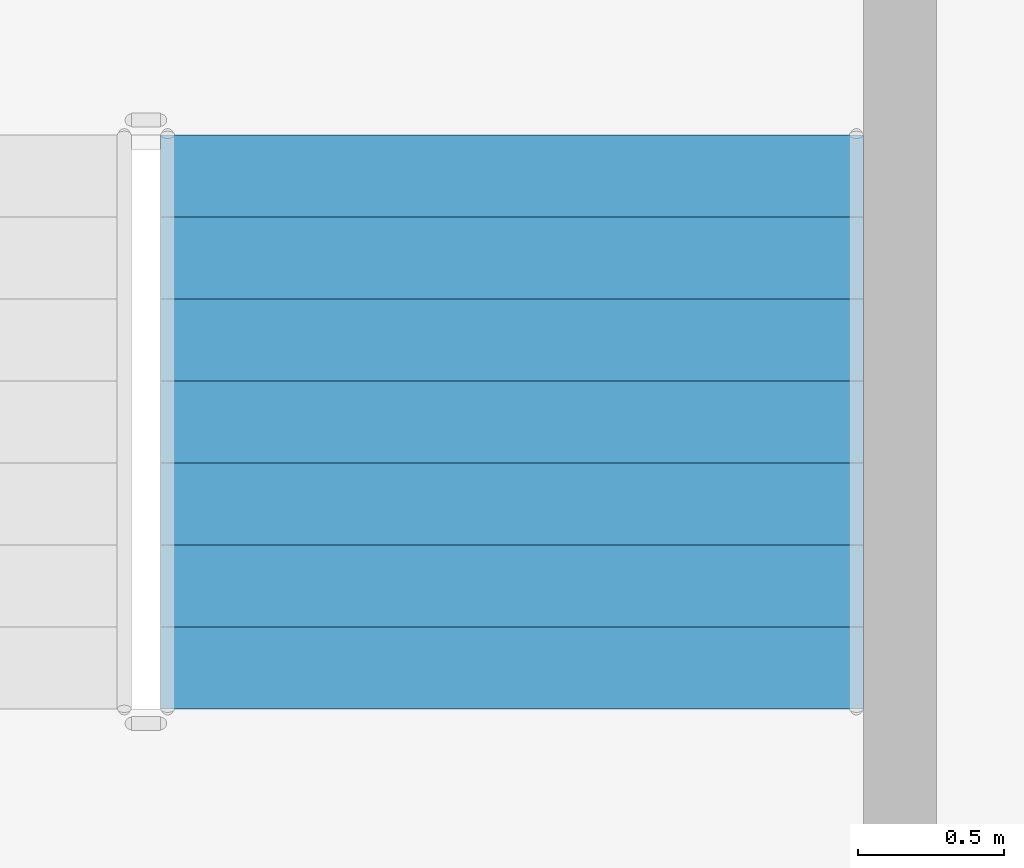
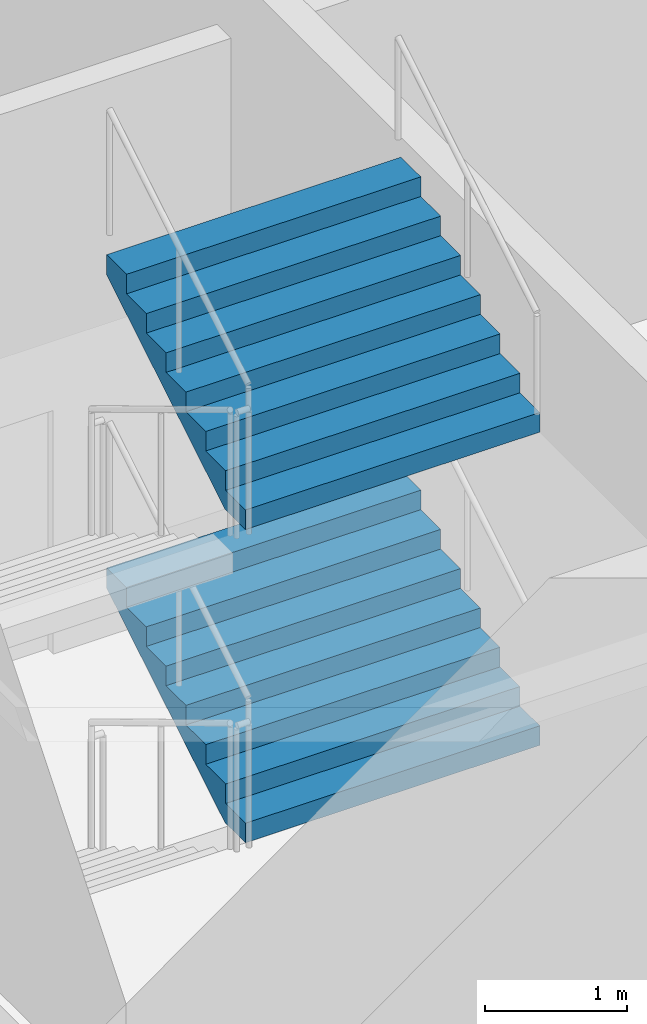
# One storey, part 38 of 101: 2 stair flights, 1 element without a shape of its own.
"""IFC4 building model written with IfcOpenShell, lengths in metres."""

from ifc_helpers import new_model, si_unit, direction, frame, origin, place, context, subcontext, project, spatial, triangles, material, type_object, element, aggregate, save


model = new_model("IFC4")

# Units and contexts
model_context = context("Model", 3, precision=1e-05, world=origin(), true_north=direction((0.0, 1.0)))
body_context = subcontext(model_context, "Body", "Model", "MODEL_VIEW")
ifc_project = project(units=[si_unit("LENGTHUNIT", "METRE"), si_unit("AREAUNIT", "SQUARE_METRE"), si_unit("VOLUMEUNIT", "CUBIC_METRE"), si_unit("PLANEANGLEUNIT", "RADIAN"), si_unit("MASSUNIT", "GRAM", prefix="KILO")], contexts=[model_context])

# Site, building, storey
site_placement = place(None, origin())
site = spatial("IfcSite", under=ifc_project, at=site_placement, CompositionType="ELEMENT")
building_placement = place(site_placement, origin())
building = spatial("IfcBuilding", under=site, at=building_placement, Name="Magnolia Steps Interchange", CompositionType="ELEMENT")
storey_placement = place(building_placement, frame((0.0, 0.0, -5.39990234375)))
storey = spatial("IfcBuildingStorey", under=building, at=storey_placement, Name="B1", CompositionType="ELEMENT", Elevation=-5.39990234375)

# Stair, stair flights
ifc_material_1 = material(Name="Concrete C40", Category="concrete")
stair_type = type_object("IfcStairType", Name="Exit stair 2400", PredefinedType="HALF_TURN_STAIR", material=ifc_material_1)
stair_placement = place(storey_placement, origin())
stair = element("IfcStair", 1, at=stair_placement, inside=storey, type_object=stair_type, Name="B1 Stair 15", PredefinedType="HALF_TURN_STAIR")
ifc_material_2 = material(Name="Concrete C40", Category="concrete")
stair_flight_type = type_object("IfcStairFlightType", Name="Exit stair flight", PredefinedType="STRAIGHT", material=ifc_material_2)
stair_flight_1_placement = place(storey_placement, frame((24.875, 56.1650390625, 1.349853515625), z_axis=(0.0, 0.0, 1.0), x_axis=(0.0, 1.0, 0.0)))
stair_flight_1 = element("IfcStairFlight", 2, at=stair_flight_1_placement, type_object=stair_flight_type, Name="Stair 15 flight 2", NumberOfRisers=8, NumberOfTreads=7, PredefinedType="STRAIGHT", RiserHeight=0.16875, TreadLength=0.28, context=body_context, shape_type="Tessellation", body=[
    triangles([(0.0, -1.199951171875, 0.0), (0.29052734375, -1.199951171875, 0.0), (1.9599609375, -1.199951171875, 1.00634765625), (1.9599609375, -1.199951171875, 1.18115234375), (1.679931640625, -1.199951171875, 1.18115234375), (1.679931640625, -1.199951171875, 1.012451171875), (1.39990234375, -1.199951171875, 1.012451171875), (1.39990234375, -1.199951171875, 0.84375), (1.1201171875, -1.199951171875, 0.84375), (1.1201171875, -1.199951171875, 0.675048828125), (0.840087890625, -1.199951171875, 0.675048828125), (0.840087890625, -1.199951171875, 0.50634765625), (0.56005859375, -1.199951171875, 0.50634765625), (0.56005859375, -1.199951171875, 0.33740234375), (0.280029296875, -1.199951171875, 0.33740234375), (0.280029296875, -1.199951171875, 0.168701171875), (0.0, -1.199951171875, 0.168701171875), (0.0, 1.199951171875, 0.0), (0.29052734375, 1.199951171875, 0.0), (1.9599609375, 1.199951171875, 1.00634765625), (1.9599609375, 1.199951171875, 1.18115234375), (1.679931640625, 1.199951171875, 1.18115234375), (1.679931640625, 1.199951171875, 1.012451171875), (1.39990234375, 1.199951171875, 1.012451171875), (1.39990234375, 1.199951171875, 0.84375), (1.1201171875, 1.199951171875, 0.84375), (1.1201171875, 1.199951171875, 0.675048828125), (0.840087890625, 1.199951171875, 0.675048828125), (0.840087890625, 1.199951171875, 0.50634765625), (0.56005859375, 1.199951171875, 0.50634765625), (0.56005859375, 1.199951171875, 0.33740234375), (0.280029296875, 1.199951171875, 0.33740234375), (0.280029296875, 1.199951171875, 0.168701171875), (0.0, 1.199951171875, 0.168701171875), (0.0, 0.0, 0.0), (0.0, 0.0, 0.04217529296875), (0.0, 0.0, 0.0843505859375), (0.0, 0.0, 0.12652587890625), (0.0, 0.0, 0.168701171875), (0.0, -0.05, 0.0), (0.0, -0.05, 0.168701171875), (0.0, 0.05, 0.0), (0.0, 0.05, 0.168701171875), (0.046671549479166664, 0.0, 0.168701171875), (0.09334309895833333, 0.0, 0.168701171875), (0.1400146484375, 0.0, 0.168701171875), (0.18668619791666666, 0.0, 0.168701171875), (0.23335774739583334, 0.0, 0.168701171875), (0.280029296875, 0.0, 0.168701171875), (0.280029296875, -0.05, 0.168701171875), (0.280029296875, 0.05, 0.168701171875), (0.280029296875, 0.0, 0.21087646484375), (0.280029296875, 0.0, 0.2530517578125), (0.280029296875, 0.0, 0.29522705078125), (0.280029296875, 0.0, 0.33740234375), (0.280029296875, -0.05, 0.33740234375), (0.280029296875, 0.05, 0.33740234375), (0.3267008463541667, 0.0, 0.33740234375), (0.3733723958333333, 0.0, 0.33740234375), (0.4200439453125, 0.0, 0.33740234375), (0.46671549479166663, 0.0, 0.33740234375), (0.5133870442708334, 0.0, 0.33740234375), (0.56005859375, 0.0, 0.33740234375), (0.56005859375, -0.05, 0.33740234375), (0.56005859375, 0.05, 0.33740234375), (0.56005859375, 0.0, 0.379638671875), (0.56005859375, 0.0, 0.421875), (0.56005859375, 0.0, 0.464111328125), (0.56005859375, 0.0, 0.50634765625), (0.56005859375, -0.05, 0.50634765625), (0.56005859375, 0.05, 0.50634765625), (0.6067301432291666, 0.0, 0.50634765625), (0.6534016927083334, 0.0, 0.50634765625), (0.7000732421875, 0.0, 0.50634765625), (0.7467447916666666, 0.0, 0.50634765625), (0.7934163411458334, 0.0, 0.50634765625), (0.840087890625, 0.0, 0.50634765625), (0.840087890625, -0.05, 0.50634765625), (0.840087890625, 0.05, 0.50634765625), (0.840087890625, 0.0, 0.54852294921875), (0.840087890625, 0.0, 0.5906982421875), (0.840087890625, 0.0, 0.63287353515625), (0.840087890625, 0.0, 0.675048828125), (0.840087890625, -0.05, 0.675048828125), (0.840087890625, 0.05, 0.675048828125), (0.8867594401041666, 0.0, 0.675048828125), (0.9334309895833334, 0.0, 0.675048828125), (0.9801025390625, 0.0, 0.675048828125), (1.0267740885416667, 0.0, 0.675048828125), (1.0734456380208333, 0.0, 0.675048828125), (1.1201171875, 0.0, 0.675048828125), (1.1201171875, -0.05, 0.675048828125), (1.1201171875, 0.05, 0.675048828125), (1.1201171875, 0.0, 0.71722412109375), (1.1201171875, 0.0, 0.7593994140625), (1.1201171875, 0.0, 0.80157470703125), (1.1201171875, 0.0, 0.84375), (1.1201171875, -0.05, 0.84375), (1.1201171875, 0.05, 0.84375), (1.1900634765625, 0.0, 0.84375), (1.260009765625, 0.0, 0.84375), (1.3299560546875, 0.0, 0.84375), (1.39990234375, 0.0, 0.84375), (1.39990234375, -0.05, 0.84375), (1.39990234375, 0.05, 0.84375), (1.39990234375, 0.0, 0.88592529296875), (1.39990234375, 0.0, 0.9281005859375), (1.39990234375, 0.0, 0.97027587890625), (1.39990234375, 0.0, 1.012451171875), (1.39990234375, -0.05, 1.012451171875), (1.39990234375, 0.05, 1.012451171875), (1.4465738932291667, 0.0, 1.012451171875), (1.4932454427083333, 0.0, 1.012451171875), (1.5399169921875, 0.0, 1.012451171875), (1.5865885416666667, 0.0, 1.012451171875), (1.6332600911458333, 0.0, 1.012451171875), (1.679931640625, 0.0, 1.012451171875), (1.679931640625, -0.05, 1.012451171875), (1.679931640625, 0.05, 1.012451171875), (1.679931640625, 0.0, 1.05462646484375), (1.679931640625, 0.0, 1.0968017578125), (1.679931640625, 0.0, 1.13897705078125), (1.679931640625, 0.0, 1.18115234375), (1.679931640625, -0.05, 1.18115234375), (1.679931640625, 0.05, 1.18115234375), (1.7266031901041667, 0.0, 1.18115234375), (1.7732747395833333, 0.0, 1.18115234375), (1.8199462890625, 0.0, 1.18115234375), (1.8666178385416667, 0.0, 1.18115234375), (1.9132893880208333, 0.0, 1.18115234375), (1.9599609375, 0.0, 1.18115234375), (1.9599609375, -0.05, 1.18115234375), (1.9599609375, 0.05, 1.18115234375), (1.9599609375, 0.0, 1.137451171875), (1.9599609375, 0.0, 1.09375), (1.9599609375, 0.0, 1.050048828125), (1.9599609375, 0.0, 1.00634765625), (1.9599609375, -0.05, 1.00634765625), (1.9599609375, 0.05, 1.00634765625), (1.9003383091517858, 0.0, 0.9704066685267857), (1.8407156808035714, 0.0, 0.9344656808035714), (1.7810930524553572, 0.0, 0.8985246930803571), (1.7214704241071428, 0.0, 0.8625837053571428), (1.6618477957589286, 0.0, 0.8266427176339286), (1.6022251674107144, 0.0, 0.7907017299107143), (1.5426025390625, 0.0, 0.7547607421875), (1.4829799107142856, 0.0, 0.7188197544642857), (1.4233572823660714, 0.0, 0.6828787667410714), (1.3637346540178572, 0.0, 0.6469377790178572), (1.3041120256696428, 0.0, 0.6109967912946428), (1.2444893973214286, 0.0, 0.5750558035714286), (1.1848667689732144, 0.0, 0.5391148158482143), (1.125244140625, 0.0, 0.503173828125), (1.0656215122767856, 0.0, 0.4672328404017857), (1.0059988839285714, 0.0, 0.4312918526785714), (0.9463762555803572, 0.0, 0.3953508649553571), (0.8867536272321428, 0.0, 0.3594098772321429), (0.8271309988839286, 0.0, 0.3234688895089286), (0.7675083705357142, 0.0, 0.2875279017857143), (0.7078857421875, 0.0, 0.2515869140625), (0.6482631138392858, 0.0, 0.2156459263392857), (0.5886404854910714, 0.0, 0.1797049386160714), (0.5290178571428572, 0.0, 0.1437639508928571), (0.4693952287946428, 0.0, 0.1078229631696429), (0.4097726004464286, 0.0, 0.0718819754464286), (0.3501499720982142, 0.0, 0.0359409877232143), (0.29052734375, 0.0, 0.0), (0.29052734375, -0.05, 0.0), (0.29052734375, 0.05, 0.0), (0.24210611979166666, 0.0, 0.0), (0.19368489583333331, 0.0, 0.0), (0.145263671875, 0.0, 0.0), (0.09684244791666666, 0.0, 0.0), (0.04842122395833334, 0.0, 0.0)], [[1, 2, 3], [3, 4, 5], [3, 5, 6], [3, 6, 7], [3, 7, 8], [8, 9, 10], [3, 8, 10], [10, 11, 12], [3, 10, 12], [12, 13, 14], [3, 12, 14], [14, 15, 16], [3, 14, 16], [1, 3, 16], [16, 17, 1], [18, 20, 19], [20, 22, 21], [20, 23, 22], [20, 24, 23], [20, 25, 24], [25, 27, 26], [20, 27, 25], [27, 29, 28], [20, 29, 27], [29, 31, 30], [20, 31, 29], [31, 33, 32], [20, 33, 31], [18, 33, 20], [33, 18, 34], [1, 17, 41], [1, 41, 40], [40, 36, 35], [40, 37, 36], [40, 41, 37], [41, 38, 37], [41, 39, 38], [18, 43, 34], [18, 42, 43], [42, 35, 36], [42, 36, 37], [42, 37, 43], [43, 37, 38], [43, 38, 39], [17, 16, 50], [17, 50, 41], [41, 44, 39], [41, 45, 44], [41, 46, 45], [41, 50, 46], [50, 47, 46], [50, 48, 47], [50, 49, 48], [34, 51, 33], [34, 43, 51], [43, 39, 44], [43, 44, 45], [43, 45, 46], [43, 46, 51], [51, 46, 47], [51, 47, 48], [51, 48, 49], [16, 15, 56], [16, 56, 50], [50, 52, 49], [50, 53, 52], [50, 56, 53], [56, 54, 53], [56, 55, 54], [33, 57, 32], [33, 51, 57], [51, 49, 52], [51, 52, 53], [51, 53, 57], [57, 53, 54], [57, 54, 55], [15, 14, 64], [15, 64, 56], [56, 58, 55], [56, 59, 58], [56, 60, 59], [56, 64, 60], [64, 61, 60], [64, 62, 61], [64, 63, 62], [32, 65, 31], [32, 57, 65], [57, 55, 58], [57, 58, 59], [57, 59, 60], [57, 60, 65], [65, 60, 61], [65, 61, 62], [65, 62, 63], [14, 13, 70], [14, 70, 64], [64, 66, 63], [64, 67, 66], [64, 70, 67], [70, 68, 67], [70, 69, 68], [31, 71, 30], [31, 65, 71], [65, 63, 66], [65, 66, 67], [65, 67, 71], [71, 67, 68], [71, 68, 69], [13, 12, 78], [13, 78, 70], [70, 72, 69], [70, 73, 72], [70, 74, 73], [70, 78, 74], [78, 75, 74], [78, 76, 75], [78, 77, 76], [30, 79, 29], [30, 71, 79], [71, 69, 72], [71, 72, 73], [71, 73, 74], [71, 74, 79], [79, 74, 75], [79, 75, 76], [79, 76, 77], [12, 11, 84], [12, 84, 78], [78, 80, 77], [78, 81, 80], [78, 84, 81], [84, 82, 81], [84, 83, 82], [29, 85, 28], [29, 79, 85], [79, 77, 80], [79, 80, 81], [79, 81, 85], [85, 81, 82], [85, 82, 83], [11, 10, 92], [11, 92, 84], [84, 86, 83], [84, 87, 86], [84, 88, 87], [84, 92, 88], [92, 89, 88], [92, 90, 89], [92, 91, 90], [28, 93, 27], [28, 85, 93], [85, 83, 86], [85, 86, 87], [85, 87, 88], [85, 88, 93], [93, 88, 89], [93, 89, 90], [93, 90, 91], [10, 9, 98], [10, 98, 92], [92, 94, 91], [92, 95, 94], [92, 98, 95], [98, 96, 95], [98, 97, 96], [27, 99, 26], [27, 93, 99], [93, 91, 94], [93, 94, 95], [93, 95, 99], [99, 95, 96], [99, 96, 97], [9, 8, 104], [9, 104, 98], [98, 100, 97], [98, 101, 100], [98, 104, 101], [104, 102, 101], [104, 103, 102], [26, 105, 25], [26, 99, 105], [99, 97, 100], [99, 100, 101], [99, 101, 105], [105, 101, 102], [105, 102, 103], [8, 7, 110], [8, 110, 104], [104, 106, 103], [104, 107, 106], [104, 110, 107], [110, 108, 107], [110, 109, 108], [25, 111, 24], [25, 105, 111], [105, 103, 106], [105, 106, 107], [105, 107, 111], [111, 107, 108], [111, 108, 109], [7, 6, 118], [7, 118, 110], [110, 112, 109], [110, 113, 112], [110, 114, 113], [110, 118, 114], [118, 115, 114], [118, 116, 115], [118, 117, 116], [24, 119, 23], [24, 111, 119], [111, 109, 112], [111, 112, 113], [111, 113, 114], [111, 114, 119], [119, 114, 115], [119, 115, 116], [119, 116, 117], [6, 5, 124], [6, 124, 118], [118, 120, 117], [118, 121, 120], [118, 124, 121], [124, 122, 121], [124, 123, 122], [23, 125, 22], [23, 119, 125], [119, 117, 120], [119, 120, 121], [119, 121, 125], [125, 121, 122], [125, 122, 123], [5, 4, 132], [5, 132, 124], [124, 126, 123], [124, 127, 126], [124, 128, 127], [124, 132, 128], [132, 129, 128], [132, 130, 129], [132, 131, 130], [22, 133, 21], [22, 125, 133], [125, 123, 126], [125, 126, 127], [125, 127, 128], [125, 128, 133], [133, 128, 129], [133, 129, 130], [133, 130, 131], [4, 3, 138], [4, 138, 132], [132, 134, 131], [132, 135, 134], [132, 138, 135], [138, 136, 135], [138, 137, 136], [21, 139, 20], [21, 133, 139], [133, 131, 134], [133, 134, 135], [133, 135, 139], [139, 135, 136], [139, 136, 137], [3, 2, 168], [3, 168, 138], [138, 140, 137], [138, 141, 140], [138, 142, 141], [138, 143, 142], [138, 144, 143], [138, 145, 144], [138, 146, 145], [138, 147, 146], [138, 148, 147], [138, 149, 148], [138, 150, 149], [138, 151, 150], [138, 152, 151], [138, 153, 152], [138, 168, 153], [168, 154, 153], [168, 155, 154], [168, 156, 155], [168, 157, 156], [168, 158, 157], [168, 159, 158], [168, 160, 159], [168, 161, 160], [168, 162, 161], [168, 163, 162], [168, 164, 163], [168, 165, 164], [168, 166, 165], [168, 167, 166], [20, 169, 19], [20, 139, 169], [139, 137, 140], [139, 140, 141], [139, 141, 142], [139, 142, 143], [139, 143, 144], [139, 144, 145], [139, 145, 146], [139, 146, 147], [139, 147, 148], [139, 148, 149], [139, 149, 150], [139, 150, 151], [139, 151, 152], [139, 152, 153], [139, 153, 169], [169, 153, 154], [169, 154, 155], [169, 155, 156], [169, 156, 157], [169, 157, 158], [169, 158, 159], [169, 159, 160], [169, 160, 161], [169, 161, 162], [169, 162, 163], [169, 163, 164], [169, 164, 165], [169, 165, 166], [169, 166, 167], [2, 1, 40], [2, 40, 168], [168, 170, 167], [168, 171, 170], [168, 172, 171], [168, 40, 172], [40, 173, 172], [40, 174, 173], [40, 35, 174], [19, 42, 18], [19, 169, 42], [169, 167, 170], [169, 170, 171], [169, 171, 172], [169, 172, 42], [42, 172, 173], [42, 173, 174], [42, 174, 35]], closed=True),
])
stair_flight_2_placement = place(storey_placement, frame((24.875, 56.1650390625, 4.0498046875), z_axis=(0.0, 0.0, 1.0), x_axis=(0.0, 1.0, 0.0)))
stair_flight_2 = element("IfcStairFlight", 3, at=stair_flight_2_placement, type_object=stair_flight_type, Name="Stair 15 flight 4", NumberOfRisers=8, NumberOfTreads=7, PredefinedType="STRAIGHT", RiserHeight=0.16875, TreadLength=0.28, context=body_context, shape_type="Tessellation", body=[
    triangles([(0.0, -1.199951171875, 0.0), (0.29052734375, -1.199951171875, 0.0), (1.9599609375, -1.199951171875, 1.00634765625), (1.9599609375, -1.199951171875, 1.18115234375), (1.679931640625, -1.199951171875, 1.18115234375), (1.679931640625, -1.199951171875, 1.012451171875), (1.39990234375, -1.199951171875, 1.012451171875), (1.39990234375, -1.199951171875, 0.84375), (1.1201171875, -1.199951171875, 0.84375), (1.1201171875, -1.199951171875, 0.675048828125), (0.840087890625, -1.199951171875, 0.675048828125), (0.840087890625, -1.199951171875, 0.50634765625), (0.56005859375, -1.199951171875, 0.50634765625), (0.56005859375, -1.199951171875, 0.33740234375), (0.280029296875, -1.199951171875, 0.33740234375), (0.280029296875, -1.199951171875, 0.168701171875), (0.0, -1.199951171875, 0.168701171875), (0.0, 1.199951171875, 0.0), (0.29052734375, 1.199951171875, 0.0), (1.9599609375, 1.199951171875, 1.00634765625), (1.9599609375, 1.199951171875, 1.18115234375), (1.679931640625, 1.199951171875, 1.18115234375), (1.679931640625, 1.199951171875, 1.012451171875), (1.39990234375, 1.199951171875, 1.012451171875), (1.39990234375, 1.199951171875, 0.84375), (1.1201171875, 1.199951171875, 0.84375), (1.1201171875, 1.199951171875, 0.675048828125), (0.840087890625, 1.199951171875, 0.675048828125), (0.840087890625, 1.199951171875, 0.50634765625), (0.56005859375, 1.199951171875, 0.50634765625), (0.56005859375, 1.199951171875, 0.33740234375), (0.280029296875, 1.199951171875, 0.33740234375), (0.280029296875, 1.199951171875, 0.168701171875), (0.0, 1.199951171875, 0.168701171875), (0.0, 0.0, 0.0), (0.0, 0.0, 0.04217529296875), (0.0, 0.0, 0.0843505859375), (0.0, 0.0, 0.12652587890625), (0.0, 0.0, 0.168701171875), (0.0, -0.05, 0.0), (0.0, -0.05, 0.168701171875), (0.0, 0.05, 0.0), (0.0, 0.05, 0.168701171875), (0.046671549479166664, 0.0, 0.168701171875), (0.09334309895833333, 0.0, 0.168701171875), (0.1400146484375, 0.0, 0.168701171875), (0.18668619791666666, 0.0, 0.168701171875), (0.23335774739583334, 0.0, 0.168701171875), (0.280029296875, 0.0, 0.168701171875), (0.280029296875, -0.05, 0.168701171875), (0.280029296875, 0.05, 0.168701171875), (0.280029296875, 0.0, 0.21087646484375), (0.280029296875, 0.0, 0.2530517578125), (0.280029296875, 0.0, 0.29522705078125), (0.280029296875, 0.0, 0.33740234375), (0.280029296875, -0.05, 0.33740234375), (0.280029296875, 0.05, 0.33740234375), (0.3267008463541667, 0.0, 0.33740234375), (0.3733723958333333, 0.0, 0.33740234375), (0.4200439453125, 0.0, 0.33740234375), (0.46671549479166663, 0.0, 0.33740234375), (0.5133870442708334, 0.0, 0.33740234375), (0.56005859375, 0.0, 0.33740234375), (0.56005859375, -0.05, 0.33740234375), (0.56005859375, 0.05, 0.33740234375), (0.56005859375, 0.0, 0.379638671875), (0.56005859375, 0.0, 0.421875), (0.56005859375, 0.0, 0.464111328125), (0.56005859375, 0.0, 0.50634765625), (0.56005859375, -0.05, 0.50634765625), (0.56005859375, 0.05, 0.50634765625), (0.6067301432291666, 0.0, 0.50634765625), (0.6534016927083334, 0.0, 0.50634765625), (0.7000732421875, 0.0, 0.50634765625), (0.7467447916666666, 0.0, 0.50634765625), (0.7934163411458334, 0.0, 0.50634765625), (0.840087890625, 0.0, 0.50634765625), (0.840087890625, -0.05, 0.50634765625), (0.840087890625, 0.05, 0.50634765625), (0.840087890625, 0.0, 0.54852294921875), (0.840087890625, 0.0, 0.5906982421875), (0.840087890625, 0.0, 0.63287353515625), (0.840087890625, 0.0, 0.675048828125), (0.840087890625, -0.05, 0.675048828125), (0.840087890625, 0.05, 0.675048828125), (0.8867594401041666, 0.0, 0.675048828125), (0.9334309895833334, 0.0, 0.675048828125), (0.9801025390625, 0.0, 0.675048828125), (1.0267740885416667, 0.0, 0.675048828125), (1.0734456380208333, 0.0, 0.675048828125), (1.1201171875, 0.0, 0.675048828125), (1.1201171875, -0.05, 0.675048828125), (1.1201171875, 0.05, 0.675048828125), (1.1201171875, 0.0, 0.71722412109375), (1.1201171875, 0.0, 0.7593994140625), (1.1201171875, 0.0, 0.80157470703125), (1.1201171875, 0.0, 0.84375), (1.1201171875, -0.05, 0.84375), (1.1201171875, 0.05, 0.84375), (1.1900634765625, 0.0, 0.84375), (1.260009765625, 0.0, 0.84375), (1.3299560546875, 0.0, 0.84375), (1.39990234375, 0.0, 0.84375), (1.39990234375, -0.05, 0.84375), (1.39990234375, 0.05, 0.84375), (1.39990234375, 0.0, 0.88592529296875), (1.39990234375, 0.0, 0.9281005859375), (1.39990234375, 0.0, 0.97027587890625), (1.39990234375, 0.0, 1.012451171875), (1.39990234375, -0.05, 1.012451171875), (1.39990234375, 0.05, 1.012451171875), (1.4465738932291667, 0.0, 1.012451171875), (1.4932454427083333, 0.0, 1.012451171875), (1.5399169921875, 0.0, 1.012451171875), (1.5865885416666667, 0.0, 1.012451171875), (1.6332600911458333, 0.0, 1.012451171875), (1.679931640625, 0.0, 1.012451171875), (1.679931640625, -0.05, 1.012451171875), (1.679931640625, 0.05, 1.012451171875), (1.679931640625, 0.0, 1.05462646484375), (1.679931640625, 0.0, 1.0968017578125), (1.679931640625, 0.0, 1.13897705078125), (1.679931640625, 0.0, 1.18115234375), (1.679931640625, -0.05, 1.18115234375), (1.679931640625, 0.05, 1.18115234375), (1.7266031901041667, 0.0, 1.18115234375), (1.7732747395833333, 0.0, 1.18115234375), (1.8199462890625, 0.0, 1.18115234375), (1.8666178385416667, 0.0, 1.18115234375), (1.9132893880208333, 0.0, 1.18115234375), (1.9599609375, 0.0, 1.18115234375), (1.9599609375, -0.05, 1.18115234375), (1.9599609375, 0.05, 1.18115234375), (1.9599609375, 0.0, 1.137451171875), (1.9599609375, 0.0, 1.09375), (1.9599609375, 0.0, 1.050048828125), (1.9599609375, 0.0, 1.00634765625), (1.9599609375, -0.05, 1.00634765625), (1.9599609375, 0.05, 1.00634765625), (1.9003383091517858, 0.0, 0.9704066685267857), (1.8407156808035714, 0.0, 0.9344656808035714), (1.7810930524553572, 0.0, 0.8985246930803571), (1.7214704241071428, 0.0, 0.8625837053571428), (1.6618477957589286, 0.0, 0.8266427176339286), (1.6022251674107144, 0.0, 0.7907017299107143), (1.5426025390625, 0.0, 0.7547607421875), (1.4829799107142856, 0.0, 0.7188197544642857), (1.4233572823660714, 0.0, 0.6828787667410714), (1.3637346540178572, 0.0, 0.6469377790178572), (1.3041120256696428, 0.0, 0.6109967912946428), (1.2444893973214286, 0.0, 0.5750558035714286), (1.1848667689732144, 0.0, 0.5391148158482143), (1.125244140625, 0.0, 0.503173828125), (1.0656215122767856, 0.0, 0.4672328404017857), (1.0059988839285714, 0.0, 0.4312918526785714), (0.9463762555803572, 0.0, 0.3953508649553571), (0.8867536272321428, 0.0, 0.3594098772321429), (0.8271309988839286, 0.0, 0.3234688895089286), (0.7675083705357142, 0.0, 0.2875279017857143), (0.7078857421875, 0.0, 0.2515869140625), (0.6482631138392858, 0.0, 0.2156459263392857), (0.5886404854910714, 0.0, 0.1797049386160714), (0.5290178571428572, 0.0, 0.1437639508928571), (0.4693952287946428, 0.0, 0.1078229631696429), (0.4097726004464286, 0.0, 0.0718819754464286), (0.3501499720982142, 0.0, 0.0359409877232143), (0.29052734375, 0.0, 0.0), (0.29052734375, -0.05, 0.0), (0.29052734375, 0.05, 0.0), (0.24210611979166666, 0.0, 0.0), (0.19368489583333331, 0.0, 0.0), (0.145263671875, 0.0, 0.0), (0.09684244791666666, 0.0, 0.0), (0.04842122395833334, 0.0, 0.0)], [[1, 2, 3], [3, 4, 5], [3, 5, 6], [3, 6, 7], [3, 7, 8], [8, 9, 10], [3, 8, 10], [10, 11, 12], [3, 10, 12], [12, 13, 14], [3, 12, 14], [14, 15, 16], [3, 14, 16], [1, 3, 16], [16, 17, 1], [18, 20, 19], [20, 22, 21], [20, 23, 22], [20, 24, 23], [20, 25, 24], [25, 27, 26], [20, 27, 25], [27, 29, 28], [20, 29, 27], [29, 31, 30], [20, 31, 29], [31, 33, 32], [20, 33, 31], [18, 33, 20], [33, 18, 34], [1, 17, 41], [1, 41, 40], [40, 36, 35], [40, 37, 36], [40, 41, 37], [41, 38, 37], [41, 39, 38], [18, 43, 34], [18, 42, 43], [42, 35, 36], [42, 36, 37], [42, 37, 43], [43, 37, 38], [43, 38, 39], [17, 16, 50], [17, 50, 41], [41, 44, 39], [41, 45, 44], [41, 46, 45], [41, 50, 46], [50, 47, 46], [50, 48, 47], [50, 49, 48], [34, 51, 33], [34, 43, 51], [43, 39, 44], [43, 44, 45], [43, 45, 46], [43, 46, 51], [51, 46, 47], [51, 47, 48], [51, 48, 49], [16, 15, 56], [16, 56, 50], [50, 52, 49], [50, 53, 52], [50, 56, 53], [56, 54, 53], [56, 55, 54], [33, 57, 32], [33, 51, 57], [51, 49, 52], [51, 52, 53], [51, 53, 57], [57, 53, 54], [57, 54, 55], [15, 14, 64], [15, 64, 56], [56, 58, 55], [56, 59, 58], [56, 60, 59], [56, 64, 60], [64, 61, 60], [64, 62, 61], [64, 63, 62], [32, 65, 31], [32, 57, 65], [57, 55, 58], [57, 58, 59], [57, 59, 60], [57, 60, 65], [65, 60, 61], [65, 61, 62], [65, 62, 63], [14, 13, 70], [14, 70, 64], [64, 66, 63], [64, 67, 66], [64, 70, 67], [70, 68, 67], [70, 69, 68], [31, 71, 30], [31, 65, 71], [65, 63, 66], [65, 66, 67], [65, 67, 71], [71, 67, 68], [71, 68, 69], [13, 12, 78], [13, 78, 70], [70, 72, 69], [70, 73, 72], [70, 74, 73], [70, 78, 74], [78, 75, 74], [78, 76, 75], [78, 77, 76], [30, 79, 29], [30, 71, 79], [71, 69, 72], [71, 72, 73], [71, 73, 74], [71, 74, 79], [79, 74, 75], [79, 75, 76], [79, 76, 77], [12, 11, 84], [12, 84, 78], [78, 80, 77], [78, 81, 80], [78, 84, 81], [84, 82, 81], [84, 83, 82], [29, 85, 28], [29, 79, 85], [79, 77, 80], [79, 80, 81], [79, 81, 85], [85, 81, 82], [85, 82, 83], [11, 10, 92], [11, 92, 84], [84, 86, 83], [84, 87, 86], [84, 88, 87], [84, 92, 88], [92, 89, 88], [92, 90, 89], [92, 91, 90], [28, 93, 27], [28, 85, 93], [85, 83, 86], [85, 86, 87], [85, 87, 88], [85, 88, 93], [93, 88, 89], [93, 89, 90], [93, 90, 91], [10, 9, 98], [10, 98, 92], [92, 94, 91], [92, 95, 94], [92, 98, 95], [98, 96, 95], [98, 97, 96], [27, 99, 26], [27, 93, 99], [93, 91, 94], [93, 94, 95], [93, 95, 99], [99, 95, 96], [99, 96, 97], [9, 8, 104], [9, 104, 98], [98, 100, 97], [98, 101, 100], [98, 104, 101], [104, 102, 101], [104, 103, 102], [26, 105, 25], [26, 99, 105], [99, 97, 100], [99, 100, 101], [99, 101, 105], [105, 101, 102], [105, 102, 103], [8, 7, 110], [8, 110, 104], [104, 106, 103], [104, 107, 106], [104, 110, 107], [110, 108, 107], [110, 109, 108], [25, 111, 24], [25, 105, 111], [105, 103, 106], [105, 106, 107], [105, 107, 111], [111, 107, 108], [111, 108, 109], [7, 6, 118], [7, 118, 110], [110, 112, 109], [110, 113, 112], [110, 114, 113], [110, 118, 114], [118, 115, 114], [118, 116, 115], [118, 117, 116], [24, 119, 23], [24, 111, 119], [111, 109, 112], [111, 112, 113], [111, 113, 114], [111, 114, 119], [119, 114, 115], [119, 115, 116], [119, 116, 117], [6, 5, 124], [6, 124, 118], [118, 120, 117], [118, 121, 120], [118, 124, 121], [124, 122, 121], [124, 123, 122], [23, 125, 22], [23, 119, 125], [119, 117, 120], [119, 120, 121], [119, 121, 125], [125, 121, 122], [125, 122, 123], [5, 4, 132], [5, 132, 124], [124, 126, 123], [124, 127, 126], [124, 128, 127], [124, 132, 128], [132, 129, 128], [132, 130, 129], [132, 131, 130], [22, 133, 21], [22, 125, 133], [125, 123, 126], [125, 126, 127], [125, 127, 128], [125, 128, 133], [133, 128, 129], [133, 129, 130], [133, 130, 131], [4, 3, 138], [4, 138, 132], [132, 134, 131], [132, 135, 134], [132, 138, 135], [138, 136, 135], [138, 137, 136], [21, 139, 20], [21, 133, 139], [133, 131, 134], [133, 134, 135], [133, 135, 139], [139, 135, 136], [139, 136, 137], [3, 2, 168], [3, 168, 138], [138, 140, 137], [138, 141, 140], [138, 142, 141], [138, 143, 142], [138, 144, 143], [138, 145, 144], [138, 146, 145], [138, 147, 146], [138, 148, 147], [138, 149, 148], [138, 150, 149], [138, 151, 150], [138, 152, 151], [138, 153, 152], [138, 168, 153], [168, 154, 153], [168, 155, 154], [168, 156, 155], [168, 157, 156], [168, 158, 157], [168, 159, 158], [168, 160, 159], [168, 161, 160], [168, 162, 161], [168, 163, 162], [168, 164, 163], [168, 165, 164], [168, 166, 165], [168, 167, 166], [20, 169, 19], [20, 139, 169], [139, 137, 140], [139, 140, 141], [139, 141, 142], [139, 142, 143], [139, 143, 144], [139, 144, 145], [139, 145, 146], [139, 146, 147], [139, 147, 148], [139, 148, 149], [139, 149, 150], [139, 150, 151], [139, 151, 152], [139, 152, 153], [139, 153, 169], [169, 153, 154], [169, 154, 155], [169, 155, 156], [169, 156, 157], [169, 157, 158], [169, 158, 159], [169, 159, 160], [169, 160, 161], [169, 161, 162], [169, 162, 163], [169, 163, 164], [169, 164, 165], [169, 165, 166], [169, 166, 167], [2, 1, 40], [2, 40, 168], [168, 170, 167], [168, 171, 170], [168, 172, 171], [168, 40, 172], [40, 173, 172], [40, 174, 173], [40, 35, 174], [19, 42, 18], [19, 169, 42], [169, 167, 170], [169, 170, 171], [169, 171, 172], [169, 172, 42], [42, 172, 173], [42, 173, 174], [42, 174, 35]], closed=True),
])
aggregate(stair, [stair_flight_1, stair_flight_2])

save(model, "model.ifc")
